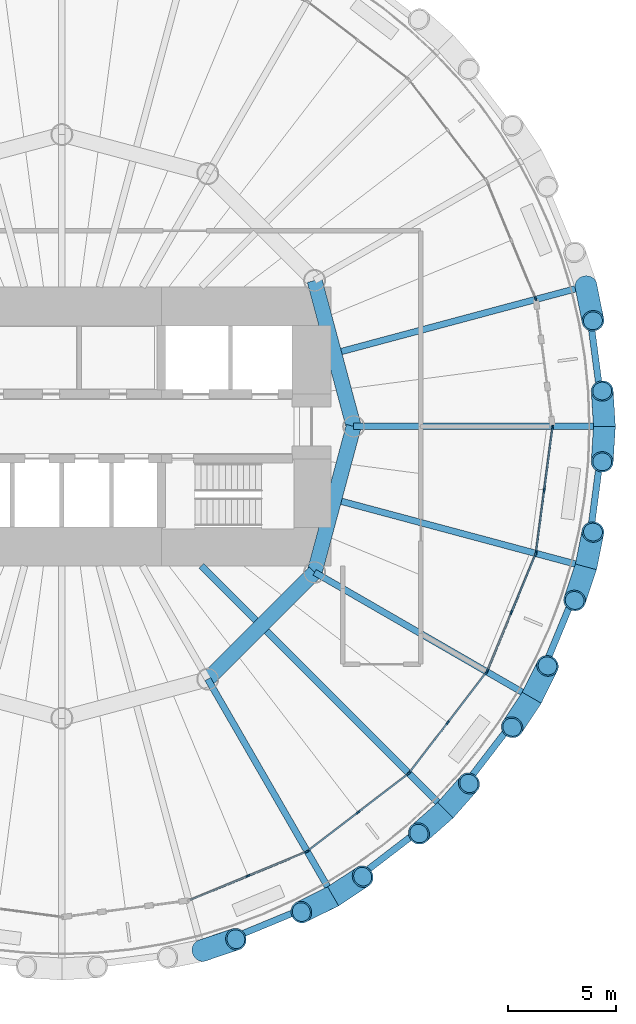
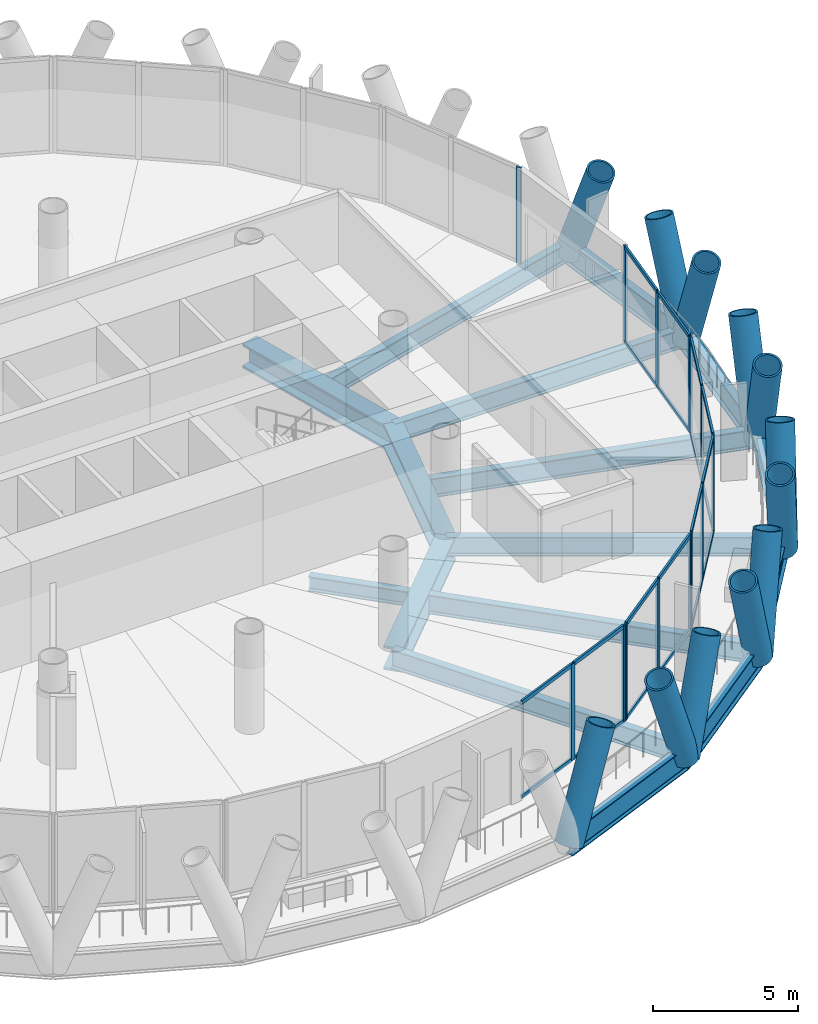
# One storey, part 4 of 14: 47 members, 16 beams, 6 elements without a shape of their own.
"""IFC4 building model written with IfcOpenShell, lengths in metres."""

from ifc_helpers import new_model, si_unit, direction, frame, origin, origin_2d, place, context, subcontext, project, spatial, rectangle, hollow_circle, i_section, extrude, material, material_profile, profile_set, type_object, element, aggregate, save


model = new_model("IFC4")

# Units and contexts
model_context = context("Model", 3, precision=1e-05, world=origin(), true_north=direction((0.0, 1.0)))
body_context = subcontext(model_context, "Body", "Model", "MODEL_VIEW")
ifc_project = project(units=[si_unit("LENGTHUNIT", "METRE"), si_unit("AREAUNIT", "SQUARE_METRE"), si_unit("VOLUMEUNIT", "CUBIC_METRE"), si_unit("PLANEANGLEUNIT", "RADIAN"), si_unit("MASSUNIT", "GRAM", prefix="KILO")], contexts=[model_context])

# Site, building, storey
site_placement = place(None, origin())
site = spatial("IfcSite", under=ifc_project, at=site_placement, CompositionType="ELEMENT")
building_placement = place(site_placement, origin())
building = spatial("IfcBuilding", under=site, at=building_placement, Name="Qaws Media Tower", CompositionType="ELEMENT")
storey_placement = place(building_placement, frame((0.0, 0.0, 126.800048828125)))
storey = spatial("IfcBuildingStorey", under=building, at=storey_placement, Name="L28", CompositionType="ELEMENT", Elevation=126.800048828125)

# Curtain wall, member
ifc_material_1 = material(Name="Aluminium and clear glass", Category="aluminium")
curtain_wall_type = type_object("IfcCurtainWallType", Name="Unitised curtain wall CW-B", PredefinedType="NOTDEFINED", material=ifc_material_1)
curtain_wall_1_placement = place(storey_placement, origin())
curtain_wall_1 = element("IfcCurtainWall", 1, at=curtain_wall_1_placement, inside=storey, type_object=curtain_wall_type, Name="CWB curtain wall L28-02", PredefinedType="NOTDEFINED")
ifc_material_2 = material(Name="Aluminium mullion", Category="aluminium")
ifc_material_profile_1 = material_profile(ifc_material_2, rectangle(XDim=0.080078125, YDim=0.199951171875, at=origin_2d()), Name="80x200")
ifc_profile_set_1 = profile_set([ifc_material_profile_1], Name="Aluminium mullion")
member_type_1 = type_object("IfcMemberType", Name="Curtain wall mullion 80x200", PredefinedType="MULLION", material=ifc_profile_set_1)
member_1_placement = place(storey_placement, frame((81.9111328125, 55.912109375, 0.0), z_axis=(0.0, 0.0, 1.0), x_axis=(-0.923879575765, -0.382683327941, 0.0)))
member_1 = element("IfcMember", 2, at=member_1_placement, type_object=member_type_1, Name="CWB mullion 1", PredefinedType="MULLION", context=body_context, shape_type="SweptSolid", body=[
    extrude(rectangle(XDim=0.080078125, YDim=0.199951171875, at=origin_2d()), origin(), (0.0, 0.0, 1.0), 4.0400390625),
])
aggregate(curtain_wall_1, [member_1])

# Curtain wall, members
curtain_wall_2_placement = place(storey_placement, origin())
curtain_wall_2 = element("IfcCurtainWall", 3, at=curtain_wall_2_placement, inside=storey, type_object=curtain_wall_type, Name="CWB curtain wall L28-20", PredefinedType="NOTDEFINED")
member_2_placement = place(storey_placement, frame((68.612548828125, 29.207275390625, 0.0), z_axis=(0.0, 0.0, 1.0), x_axis=(-0.382683327941, 0.923879575765, 0.0)))
member_2 = element("IfcMember", 4, at=member_2_placement, type_object=member_type_1, Name="CWB mullion 2", PredefinedType="MULLION", context=body_context, shape_type="SweptSolid", body=[
    extrude(rectangle(XDim=0.080078125, YDim=0.199951171875, at=origin_2d()), origin(), (0.0, 0.0, 1.0), 4.0400390625),
])
member_3_placement = place(storey_placement, frame((71.31298828125, 30.325927734375, 0.0), z_axis=(0.0, 0.0, 1.0), x_axis=(-0.382683327941, 0.923879575765, 0.0)))
member_3 = element("IfcMember", 5, at=member_3_placement, type_object=member_type_1, Name="CWB mullion 3", PredefinedType="MULLION", context=body_context, shape_type="SweptSolid", body=[
    extrude(rectangle(XDim=0.080078125, YDim=0.199951171875, at=origin_2d()), origin(), (0.0, 0.0, 1.0), 4.0400390625),
])

curtain_wall_3_placement = place(storey_placement, origin())
curtain_wall_3 = element("IfcCurtainWall", 6, at=curtain_wall_3_placement, inside=storey, type_object=curtain_wall_type, Name="CWB curtain wall L28-21", PredefinedType="NOTDEFINED")
member_4_placement = place(storey_placement, frame((71.3818359375, 30.365478515625, 0.0), z_axis=(0.0, 0.0, 1.0), x_axis=(-0.608761451911, 0.793353322718, 0.0)))
member_4 = element("IfcMember", 7, at=member_4_placement, type_object=member_type_1, Name="CWB mullion 1", PredefinedType="MULLION", context=body_context, shape_type="SweptSolid", body=[
    extrude(rectangle(XDim=0.080078125, YDim=0.199951171875, at=origin_2d()), origin(), (0.0, 0.0, 1.0), 4.0400390625),
])
member_5_placement = place(storey_placement, frame((73.70068359375, 32.14501953125, 0.0), z_axis=(0.0, 0.0, 1.0), x_axis=(-0.608761451911, 0.793353322718, 0.0)))
member_5 = element("IfcMember", 8, at=member_5_placement, type_object=member_type_1, Name="CWB mullion 2", PredefinedType="MULLION", context=body_context, shape_type="SweptSolid", body=[
    extrude(rectangle(XDim=0.080078125, YDim=0.199951171875, at=origin_2d()), origin(), (0.0, 0.0, 1.0), 4.0400390625),
])
member_6_placement = place(storey_placement, frame((76.01953125, 33.92431640625, 0.0), z_axis=(0.0, 0.0, 1.0), x_axis=(-0.608761451911, 0.793353322718, 0.0)))
member_6 = element("IfcMember", 9, at=member_6_placement, type_object=member_type_1, Name="CWB mullion 3", PredefinedType="MULLION", context=body_context, shape_type="SweptSolid", body=[
    extrude(rectangle(XDim=0.080078125, YDim=0.199951171875, at=origin_2d()), origin(), (0.0, 0.0, 1.0), 4.0400390625),
])

curtain_wall_4_placement = place(storey_placement, origin())
curtain_wall_4 = element("IfcCurtainWall", 10, at=curtain_wall_4_placement, inside=storey, type_object=curtain_wall_type, Name="CWB curtain wall L28-22", PredefinedType="NOTDEFINED")
member_7_placement = place(storey_placement, frame((76.07568359375, 33.98046875, 0.0), z_axis=(0.0, 0.0, 1.0), x_axis=(-0.793353322718, 0.608761451911, 0.0)))
member_7 = element("IfcMember", 11, at=member_7_placement, type_object=member_type_1, Name="CWB mullion 1", PredefinedType="MULLION", context=body_context, shape_type="SweptSolid", body=[
    extrude(rectangle(XDim=0.080078125, YDim=0.199951171875, at=origin_2d()), origin(), (0.0, 0.0, 1.0), 4.0400390625),
])
member_8_placement = place(storey_placement, frame((77.85498046875, 36.29931640625, 0.0), z_axis=(0.0, 0.0, 1.0), x_axis=(-0.793353322718, 0.608761451911, 0.0)))
member_8 = element("IfcMember", 12, at=member_8_placement, type_object=member_type_1, Name="CWB mullion 2", PredefinedType="MULLION", context=body_context, shape_type="SweptSolid", body=[
    extrude(rectangle(XDim=0.080078125, YDim=0.199951171875, at=origin_2d()), origin(), (0.0, 0.0, 1.0), 4.0400390625),
])
member_9_placement = place(storey_placement, frame((79.634521484375, 38.6181640625, 0.0), z_axis=(0.0, 0.0, 1.0), x_axis=(-0.793353322718, 0.608761451911, 0.0)))
member_9 = element("IfcMember", 13, at=member_9_placement, type_object=member_type_1, Name="CWB mullion 3", PredefinedType="MULLION", context=body_context, shape_type="SweptSolid", body=[
    extrude(rectangle(XDim=0.080078125, YDim=0.199951171875, at=origin_2d()), origin(), (0.0, 0.0, 1.0), 4.0400390625),
])

curtain_wall_5_placement = place(storey_placement, origin())
curtain_wall_5 = element("IfcCurtainWall", 14, at=curtain_wall_5_placement, inside=storey, type_object=curtain_wall_type, Name="CWB curtain wall L28-23", PredefinedType="NOTDEFINED")
member_10_placement = place(storey_placement, frame((79.674072265625, 38.68701171875, 0.0), z_axis=(0.0, 0.0, 1.0), x_axis=(-0.923879575765, 0.382683327941, 0.0)))
member_10 = element("IfcMember", 15, at=member_10_placement, type_object=member_type_1, Name="CWB mullion 1", PredefinedType="MULLION", context=body_context, shape_type="SweptSolid", body=[
    extrude(rectangle(XDim=0.080078125, YDim=0.199951171875, at=origin_2d()), origin(), (0.0, 0.0, 1.0), 4.0400390625),
])
member_11_placement = place(storey_placement, frame((80.792724609375, 41.387451171875, 0.0), z_axis=(0.0, 0.0, 1.0), x_axis=(-0.923879575765, 0.382683327941, 0.0)))
member_11 = element("IfcMember", 16, at=member_11_placement, type_object=member_type_1, Name="CWB mullion 2", PredefinedType="MULLION", context=body_context, shape_type="SweptSolid", body=[
    extrude(rectangle(XDim=0.080078125, YDim=0.199951171875, at=origin_2d()), origin(), (0.0, 0.0, 1.0), 4.0400390625),
])
member_12_placement = place(storey_placement, frame((81.9111328125, 44.087890625, 0.0), z_axis=(0.0, 0.0, 1.0), x_axis=(-0.923879575765, 0.382683327941, 0.0)))
member_12 = element("IfcMember", 17, at=member_12_placement, type_object=member_type_1, Name="CWB mullion 3", PredefinedType="MULLION", context=body_context, shape_type="SweptSolid", body=[
    extrude(rectangle(XDim=0.080078125, YDim=0.199951171875, at=origin_2d()), origin(), (0.0, 0.0, 1.0), 4.0400390625),
])

curtain_wall_6_placement = place(storey_placement, origin())
curtain_wall_6 = element("IfcCurtainWall", 18, at=curtain_wall_6_placement, inside=storey, type_object=curtain_wall_type, Name="CWB curtain wall L28-24", PredefinedType="NOTDEFINED")
member_13_placement = place(storey_placement, frame((81.931640625, 44.16455078125, 0.0), z_axis=(0.0, 0.0, 1.0), x_axis=(-0.991444854836, 0.130526241882, 0.0)))
member_13 = element("IfcMember", 19, at=member_13_placement, type_object=member_type_1, Name="CWB mullion 1", PredefinedType="MULLION", context=body_context, shape_type="SweptSolid", body=[
    extrude(rectangle(XDim=0.080078125, YDim=0.199951171875, at=origin_2d()), origin(), (0.0, 0.0, 1.0), 4.0400390625),
])
member_14_placement = place(storey_placement, frame((82.313232421875, 47.0625, 0.0), z_axis=(0.0, 0.0, 1.0), x_axis=(-0.991444854836, 0.130526241882, 0.0)))
member_14 = element("IfcMember", 20, at=member_14_placement, type_object=member_type_1, Name="CWB mullion 2", PredefinedType="MULLION", context=body_context, shape_type="SweptSolid", body=[
    extrude(rectangle(XDim=0.080078125, YDim=0.199951171875, at=origin_2d()), origin(), (0.0, 0.0, 1.0), 4.0400390625),
])
member_15_placement = place(storey_placement, frame((82.69482421875, 49.96044921875, 0.0), z_axis=(0.0, 0.0, 1.0), x_axis=(-0.991444854836, 0.130526241882, 0.0)))
member_15 = element("IfcMember", 21, at=member_15_placement, type_object=member_type_1, Name="CWB mullion 3", PredefinedType="MULLION", context=body_context, shape_type="SweptSolid", body=[
    extrude(rectangle(XDim=0.080078125, YDim=0.199951171875, at=origin_2d()), origin(), (0.0, 0.0, 1.0), 4.0400390625),
])

# Member
ifc_material_3 = material(Name="Aluminium transom", Category="aluminium")
ifc_material_profile_2 = material_profile(ifc_material_3, rectangle(XDim=0.080078125, YDim=0.159912109375, at=origin_2d()), Name="80x160")
ifc_profile_set_2 = profile_set([ifc_material_profile_2], Name="Aluminium transom")
member_type_2 = type_object("IfcMemberType", Name="Curtain wall transom 80x160", PredefinedType="USERDEFINED", material=ifc_profile_set_2)
member_16_placement = place(storey_placement, frame((65.94921875, 28.10400390625, 0.0400390625), z_axis=(0.923852493232, 0.382748704437, 0.0), x_axis=(-0.382748704437, 0.923852493232, 0.0)))
member_16 = element("IfcMember", 22, at=member_16_placement, type_object=member_type_2, Name="CWB transom 1.1", ObjectType="TRANSOM", PredefinedType="USERDEFINED", context=body_context, shape_type="SweptSolid", body=[
    extrude(rectangle(XDim=0.080078125, YDim=0.159912109375, at=origin_2d()), origin(), (0.0, 0.0, 1.0), 2.843017578125),
])

member_17_placement = place(storey_placement, frame((65.94921875, 28.10400390625, 4.0), z_axis=(0.923852493232, 0.382748704437, 0.0), x_axis=(-0.382748704437, 0.923852493232, 0.0)))
member_17 = element("IfcMember", 23, at=member_17_placement, type_object=member_type_2, Name="CWB transom 1.2", ObjectType="TRANSOM", PredefinedType="USERDEFINED", context=body_context, shape_type="SweptSolid", body=[
    extrude(rectangle(XDim=0.080078125, YDim=0.159912109375, at=origin_2d()), origin(), (0.0, 0.0, 1.0), 2.843017578125),
])

member_18_placement = place(storey_placement, frame((68.649658203125, 29.22265625, 0.0400390625), z_axis=(0.923882857314, 0.382675405483, 0.0), x_axis=(-0.382675405483, 0.923882857314, 0.0)))
member_18 = element("IfcMember", 24, at=member_18_placement, type_object=member_type_2, Name="CWB transom 2.1", ObjectType="TRANSOM", PredefinedType="USERDEFINED", context=body_context, shape_type="SweptSolid", body=[
    extrude(rectangle(XDim=0.080078125, YDim=0.159912109375, at=origin_2d()), origin(), (0.0, 0.0, 1.0), 2.8427734375),
])

member_19_placement = place(storey_placement, frame((68.649658203125, 29.22265625, 4.0), z_axis=(0.923882857314, 0.382675405483, 0.0), x_axis=(-0.382675405483, 0.923882857314, 0.0)))
member_19 = element("IfcMember", 25, at=member_19_placement, type_object=member_type_2, Name="CWB transom 2.2", ObjectType="TRANSOM", PredefinedType="USERDEFINED", context=body_context, shape_type="SweptSolid", body=[
    extrude(rectangle(XDim=0.080078125, YDim=0.159912109375, at=origin_2d()), origin(), (0.0, 0.0, 1.0), 2.8427734375),
])

aggregate(curtain_wall_2, [member_2, member_3, member_16, member_17, member_18, member_19])

member_20_placement = place(storey_placement, frame((71.41357421875, 30.389892578125, 0.0400390625), z_axis=(0.79333536919, 0.608784848689, 0.0), x_axis=(-0.608784848689, 0.79333536919, 0.0)))
member_20 = element("IfcMember", 26, at=member_20_placement, type_object=member_type_2, Name="CWB transom 1.1", ObjectType="TRANSOM", PredefinedType="USERDEFINED", context=body_context, shape_type="SweptSolid", body=[
    extrude(rectangle(XDim=0.080078125, YDim=0.159912109375, at=origin_2d()), origin(), (0.0, 0.0, 1.0), 2.843017578125),
])

member_21_placement = place(storey_placement, frame((71.41357421875, 30.389892578125, 4.0), z_axis=(0.79333536919, 0.608784848689, 0.0), x_axis=(-0.608784848689, 0.79333536919, 0.0)))
member_21 = element("IfcMember", 27, at=member_21_placement, type_object=member_type_2, Name="CWB transom 1.2", ObjectType="TRANSOM", PredefinedType="USERDEFINED", context=body_context, shape_type="SweptSolid", body=[
    extrude(rectangle(XDim=0.080078125, YDim=0.159912109375, at=origin_2d()), origin(), (0.0, 0.0, 1.0), 2.843017578125),
])

member_22_placement = place(storey_placement, frame((73.732421875, 32.169189453125, 0.0400390625), z_axis=(0.79333536919, 0.608784848689, 0.0), x_axis=(-0.608784848689, 0.79333536919, 0.0)))
member_22 = element("IfcMember", 28, at=member_22_placement, type_object=member_type_2, Name="CWB transom 2.1", ObjectType="TRANSOM", PredefinedType="USERDEFINED", context=body_context, shape_type="SweptSolid", body=[
    extrude(rectangle(XDim=0.080078125, YDim=0.159912109375, at=origin_2d()), origin(), (0.0, 0.0, 1.0), 2.843017578125),
])

member_23_placement = place(storey_placement, frame((73.732421875, 32.169189453125, 4.0), z_axis=(0.79333536919, 0.608784848689, 0.0), x_axis=(-0.608784848689, 0.79333536919, 0.0)))
member_23 = element("IfcMember", 29, at=member_23_placement, type_object=member_type_2, Name="CWB transom 2.2", ObjectType="TRANSOM", PredefinedType="USERDEFINED", context=body_context, shape_type="SweptSolid", body=[
    extrude(rectangle(XDim=0.080078125, YDim=0.159912109375, at=origin_2d()), origin(), (0.0, 0.0, 1.0), 2.843017578125),
])

aggregate(curtain_wall_3, [member_4, member_5, member_6, member_20, member_21, member_22, member_23])

member_24_placement = place(storey_placement, frame((76.10009765625, 34.01220703125, 0.0400390625), z_axis=(0.608784848689, 0.79333536919, 0.0), x_axis=(-0.79333536919, 0.608784848689, 0.0)))
member_24 = element("IfcMember", 30, at=member_24_placement, type_object=member_type_2, Name="CWB transom 1.1", ObjectType="TRANSOM", PredefinedType="USERDEFINED", context=body_context, shape_type="SweptSolid", body=[
    extrude(rectangle(XDim=0.080078125, YDim=0.159912109375, at=origin_2d()), origin(), (0.0, 0.0, 1.0), 2.843017578125),
])

member_25_placement = place(storey_placement, frame((76.10009765625, 34.01220703125, 4.0), z_axis=(0.608784848689, 0.79333536919, 0.0), x_axis=(-0.79333536919, 0.608784848689, 0.0)))
member_25 = element("IfcMember", 31, at=member_25_placement, type_object=member_type_2, Name="CWB transom 1.2", ObjectType="TRANSOM", PredefinedType="USERDEFINED", context=body_context, shape_type="SweptSolid", body=[
    extrude(rectangle(XDim=0.080078125, YDim=0.159912109375, at=origin_2d()), origin(), (0.0, 0.0, 1.0), 2.843017578125),
])

member_26_placement = place(storey_placement, frame((77.87939453125, 36.3310546875, 0.0400390625), z_axis=(0.608784848689, 0.79333536919, 0.0), x_axis=(-0.79333536919, 0.608784848689, 0.0)))
member_26 = element("IfcMember", 32, at=member_26_placement, type_object=member_type_2, Name="CWB transom 2.1", ObjectType="TRANSOM", PredefinedType="USERDEFINED", context=body_context, shape_type="SweptSolid", body=[
    extrude(rectangle(XDim=0.080078125, YDim=0.159912109375, at=origin_2d()), origin(), (0.0, 0.0, 1.0), 2.843017578125),
])

member_27_placement = place(storey_placement, frame((77.87939453125, 36.3310546875, 4.0), z_axis=(0.608784848689, 0.79333536919, 0.0), x_axis=(-0.79333536919, 0.608784848689, 0.0)))
member_27 = element("IfcMember", 33, at=member_27_placement, type_object=member_type_2, Name="CWB transom 2.2", ObjectType="TRANSOM", PredefinedType="USERDEFINED", context=body_context, shape_type="SweptSolid", body=[
    extrude(rectangle(XDim=0.080078125, YDim=0.159912109375, at=origin_2d()), origin(), (0.0, 0.0, 1.0), 2.843017578125),
])

aggregate(curtain_wall_4, [member_7, member_8, member_9, member_24, member_25, member_26, member_27])

member_28_placement = place(storey_placement, frame((79.689453125, 38.723876953125, 0.0400390625), z_axis=(0.382675405483, 0.923882857314, 0.0), x_axis=(-0.923882857314, 0.382675405483, 0.0)))
member_28 = element("IfcMember", 34, at=member_28_placement, type_object=member_type_2, Name="CWB transom 1.1", ObjectType="TRANSOM", PredefinedType="USERDEFINED", context=body_context, shape_type="SweptSolid", body=[
    extrude(rectangle(XDim=0.080078125, YDim=0.159912109375, at=origin_2d()), origin(), (0.0, 0.0, 1.0), 2.8427734375),
])

member_29_placement = place(storey_placement, frame((79.689453125, 38.723876953125, 4.0), z_axis=(0.382675405483, 0.923882857314, 0.0), x_axis=(-0.923882857314, 0.382675405483, 0.0)))
member_29 = element("IfcMember", 35, at=member_29_placement, type_object=member_type_2, Name="CWB transom 1.2", ObjectType="TRANSOM", PredefinedType="USERDEFINED", context=body_context, shape_type="SweptSolid", body=[
    extrude(rectangle(XDim=0.080078125, YDim=0.159912109375, at=origin_2d()), origin(), (0.0, 0.0, 1.0), 2.8427734375),
])

member_30_placement = place(storey_placement, frame((80.807861328125, 41.42431640625, 0.0400390625), z_axis=(0.382748704437, 0.923852493232, 0.0), x_axis=(-0.923852493232, 0.382748704437, 0.0)))
member_30 = element("IfcMember", 36, at=member_30_placement, type_object=member_type_2, Name="CWB transom 2.1", ObjectType="TRANSOM", PredefinedType="USERDEFINED", context=body_context, shape_type="SweptSolid", body=[
    extrude(rectangle(XDim=0.080078125, YDim=0.159912109375, at=origin_2d()), origin(), (0.0, 0.0, 1.0), 2.843017578125),
])

member_31_placement = place(storey_placement, frame((80.807861328125, 41.42431640625, 4.0), z_axis=(0.382748704437, 0.923852493232, 0.0), x_axis=(-0.923852493232, 0.382748704437, 0.0)))
member_31 = element("IfcMember", 37, at=member_31_placement, type_object=member_type_2, Name="CWB transom 2.2", ObjectType="TRANSOM", PredefinedType="USERDEFINED", context=body_context, shape_type="SweptSolid", body=[
    extrude(rectangle(XDim=0.080078125, YDim=0.159912109375, at=origin_2d()), origin(), (0.0, 0.0, 1.0), 2.843017578125),
])

aggregate(curtain_wall_5, [member_10, member_11, member_12, member_28, member_29, member_30, member_31])

member_32_placement = place(storey_placement, frame((81.93701171875, 44.2041015625, 0.0400390625), z_axis=(0.130532262837, 0.991444062143, 0.0), x_axis=(-0.991444062143, 0.130532262837, 0.0)))
member_32 = element("IfcMember", 38, at=member_32_placement, type_object=member_type_2, Name="CWB transom 1.1", ObjectType="TRANSOM", PredefinedType="USERDEFINED", context=body_context, shape_type="SweptSolid", body=[
    extrude(rectangle(XDim=0.080078125, YDim=0.159912109375, at=origin_2d()), origin(), (0.0, 0.0, 1.0), 2.843017578125),
])

member_33_placement = place(storey_placement, frame((81.93701171875, 44.2041015625, 4.0), z_axis=(0.130532262837, 0.991444062143, 0.0), x_axis=(-0.991444062143, 0.130532262837, 0.0)))
member_33 = element("IfcMember", 39, at=member_33_placement, type_object=member_type_2, Name="CWB transom 1.2", ObjectType="TRANSOM", PredefinedType="USERDEFINED", context=body_context, shape_type="SweptSolid", body=[
    extrude(rectangle(XDim=0.080078125, YDim=0.159912109375, at=origin_2d()), origin(), (0.0, 0.0, 1.0), 2.843017578125),
])

member_34_placement = place(storey_placement, frame((82.318359375, 47.10205078125, 0.0400390625), z_axis=(0.130532262837, 0.991444062143, 0.0), x_axis=(-0.991444062143, 0.130532262837, 0.0)))
member_34 = element("IfcMember", 40, at=member_34_placement, type_object=member_type_2, Name="CWB transom 2.1", ObjectType="TRANSOM", PredefinedType="USERDEFINED", context=body_context, shape_type="SweptSolid", body=[
    extrude(rectangle(XDim=0.080078125, YDim=0.159912109375, at=origin_2d()), origin(), (0.0, 0.0, 1.0), 2.843017578125),
])

member_35_placement = place(storey_placement, frame((82.318359375, 47.10205078125, 4.0), z_axis=(0.130532262837, 0.991444062143, 0.0), x_axis=(-0.991444062143, 0.130532262837, 0.0)))
member_35 = element("IfcMember", 41, at=member_35_placement, type_object=member_type_2, Name="CWB transom 2.2", ObjectType="TRANSOM", PredefinedType="USERDEFINED", context=body_context, shape_type="SweptSolid", body=[
    extrude(rectangle(XDim=0.080078125, YDim=0.159912109375, at=origin_2d()), origin(), (0.0, 0.0, 1.0), 2.843017578125),
])

aggregate(curtain_wall_6, [member_13, member_14, member_15, member_32, member_33, member_34, member_35])

# Members
ifc_material_4 = material(Name="Steel S460", Category="steel")
ifc_material_profile_3 = material_profile(ifc_material_4, hollow_circle(Radius=0.508056640625, WallThickness=0.070068359375, at=origin_2d()), Name="CHS 1016x70")
ifc_profile_set_3 = profile_set([ifc_material_profile_3], Name="Steel S460")
member_type_3 = type_object("IfcMemberType", Name="Diagrid member CHS 1016x70", PredefinedType="USERDEFINED", material=ifc_profile_set_3)
for number, where, z_axis, x_axis, name in (
    (42, (85.10009765625, 50.0, -0.6640625), (-0.023009597128, 0.363335073708, 0.931374351512), (-0.99800073914, -0.063202252143, 0.0), "DG3 diagrid L28 A01"),
    (43, (85.10009765625, 50.0, -0.6640625), (-0.023009597128, -0.363335073708, 0.931374351512), (0.99800073914, -0.063202252143, 0.0), "DG3 diagrid L28 B01"),
):
    element("IfcMember", number, at=place(storey_placement, frame(where, z_axis=z_axis, x_axis=x_axis)), inside=storey, type_object=member_type_3, Name=name, ObjectType="DIAGRID", PredefinedType="USERDEFINED", context=body_context, shape_type="SweptSolid", body=[
        extrude(hollow_circle(Radius=0.508056640625, WallThickness=0.070068359375, at=origin_2d()), origin(), (0.0, 0.0, 1.0), 4.509521484375),
    ])
for number, where, z_axis, x_axis, name in (
    (44, (84.24462890625, 56.496337890625, -0.6640625), (0.071844373142, -0.356893826491, 0.931378109395), (0.980333951652, 0.197345745425, 0.0), "DG3 diagrid L28 B02"),
    (45, (66.496337890625, 25.75537109375, -0.6640625), (0.34498681784, 0.11618670921, 0.931388610688), (-0.319171064063, 0.947697120321, 0.0), "DG3 diagrid L28 A20"),
    (46, (72.550048828125, 28.2626953125, -0.6640625), (0.303134967423, 0.201566616131, 0.931386112623), (-0.553704483539, 0.832713242905, 0.0), "DG3 diagrid L28 A21"),
    (47, (72.550048828125, 28.2626953125, -0.6640625), (-0.326144274336, -0.161718616773, 0.931384454083), (0.444236655494, -0.895909478639, 0.0), "DG3 diagrid L28 B21"),
    (48, (77.748291015625, 32.251708984375, -0.6640625), (0.240656171332, 0.273140693896, 0.931385402794), (-0.750315083138, 0.661080385441, 0.0), "DG3 diagrid L28 A22"),
    (49, (77.748291015625, 32.251708984375, -0.6640625), (-0.273140693896, -0.240656171332, 0.931385402794), (0.661080385441, -0.750315083138, 0.0), "DG3 diagrid L28 B22"),
    (50, (81.7373046875, 37.449951171875, -0.6640625), (0.161718616773, 0.326144274336, 0.931384454083), (-0.895909478639, 0.444236655494, 0.0), "DG3 diagrid L28 A23"),
    (51, (81.7373046875, 37.449951171875, -0.6640625), (-0.201566616131, -0.303134967423, 0.931386112623), (0.832713242905, -0.553704483539, 0.0), "DG3 diagrid L28 B23"),
    (52, (84.24462890625, 43.503662109375, -0.6640625), (0.071844373142, 0.356893826491, 0.931378109395), (-0.980333951652, 0.197345745425, 0.0), "DG3 diagrid L28 A24"),
    (53, (84.24462890625, 43.503662109375, -0.6640625), (-0.11618670921, -0.34498681784, 0.931388610688), (0.947697120321, -0.319171064063, 0.0), "DG3 diagrid L28 B24"),
):
    element("IfcMember", number, at=place(storey_placement, frame(where, z_axis=z_axis, x_axis=x_axis)), inside=storey, type_object=member_type_3, Name=name, ObjectType="DIAGRID", PredefinedType="USERDEFINED", context=body_context, shape_type="SweptSolid", body=[
        extrude(hollow_circle(Radius=0.508056640625, WallThickness=0.070068359375, at=origin_2d()), origin(), (0.0, 0.0, 1.0), 4.50927734375),
    ])

# Beams
ifc_material_5 = material(Name="Steel S460", Category="steel")
ifc_material_profile_4 = material_profile(ifc_material_5, i_section(OverallWidth=0.302001953125, OverallDepth=1.008056640625, WebThickness=0.02099609375, FlangeThickness=0.0400390625, FilletRadius=0.030029296875, at=origin_2d()), Name="HE 1000 M")
ifc_profile_set_4 = profile_set([ifc_material_profile_4], Name="Steel S460")
beam_type_1 = type_object("IfcBeamType", Name="Edge ring beam HE 1000 M", PredefinedType="BEAM", material=ifc_profile_set_4)
for number, where, z_axis, x_axis, name in (
    (54, (85.10009765625, 50.0, -0.6640625), (-0.130557641571, 0.991440720481, 0.0), (-0.991440720481, -0.130557641571, 0.0), "RB3 edge ring beam L28-01"),
    (55, (66.496337890625, 25.75537109375, -0.6640625), (0.923890590997, 0.382656733729, 0.0), (-0.382656733729, 0.923890590997, 0.0), "RB3 edge ring beam L28-20"),
    (56, (72.550048828125, 28.2626953125, -0.6640625), (0.793334017296, 0.608786610398, 0.0), (-0.608786610398, 0.793334017296, 0.0), "RB3 edge ring beam L28-21"),
    (57, (77.748291015625, 32.251708984375, -0.6640625), (0.608786610398, 0.793334017296, 0.0), (-0.793334017296, 0.608786610398, 0.0), "RB3 edge ring beam L28-22"),
    (58, (81.7373046875, 37.449951171875, -0.6640625), (0.382656733729, 0.923890590997, 0.0), (-0.923890590997, 0.382656733729, 0.0), "RB3 edge ring beam L28-23"),
    (59, (84.24462890625, 43.503662109375, -0.6640625), (0.130557641571, 0.991440720481, 0.0), (-0.991440720481, 0.130557641571, 0.0), "RB3 edge ring beam L28-24"),
):
    element("IfcBeam", number, at=place(storey_placement, frame(where, z_axis=z_axis, x_axis=x_axis)), inside=storey, type_object=beam_type_1, Name=name, PredefinedType="BEAM", context=body_context, shape_type="SweptSolid", body=[
        extrude(i_section(OverallWidth=0.302001953125, OverallDepth=1.008056640625, WebThickness=0.02099609375, FlangeThickness=0.0400390625, FilletRadius=0.030029296875, at=origin_2d()), origin(), (0.0, 0.0, 1.0), 6.552490234375),
    ])
ifc_material_6 = material(Name="Steel S460", Category="steel")
ifc_material_profile_5 = material_profile(ifc_material_6, i_section(OverallWidth=0.699951171875, OverallDepth=1.0, WebThickness=0.034912109375, FlangeThickness=0.090087890625, at=origin_2d()), Name="PG 1000x700")
ifc_profile_set_5 = profile_set([ifc_material_profile_5], Name="Steel S460")
beam_type_2 = type_object("IfcBeamType", Name="Inner ring girder PG 1000x700", PredefinedType="BEAM", material=ifc_profile_set_5)
beam_1_placement = place(storey_placement, frame((73.5, 50.0, -0.66015625), z_axis=(-0.258810593767, 0.965928090778, 0.0), x_axis=(-0.965928090778, -0.258810593767, 0.0)))
element("IfcBeam", 60, at=beam_1_placement, inside=storey, type_object=beam_type_2, Name="B3 inner ring beam L28 I01-I02", PredefinedType="BEAM", context=body_context, shape_type="SweptSolid", body=[
    extrude(i_section(OverallWidth=0.699951171875, OverallDepth=1.0, WebThickness=0.034912109375, FlangeThickness=0.090087890625, at=origin_2d()), origin(), (0.0, 0.0, 1.0), 6.988037109375),
])
beam_2_placement = place(storey_placement, frame((66.75, 38.30859375, -0.66015625), z_axis=(0.707106781187, 0.707106781187, 0.0), x_axis=(-0.707106781187, 0.707106781187, 0.0)))
element("IfcBeam", 61, at=beam_2_placement, inside=storey, type_object=beam_type_2, Name="B3 inner ring beam L28 I11-I12", PredefinedType="BEAM", context=body_context, shape_type="SweptSolid", body=[
    extrude(i_section(OverallWidth=0.699951171875, OverallDepth=1.0, WebThickness=0.034912109375, FlangeThickness=0.090087890625, at=origin_2d()), origin(), (0.0, 0.0, 1.0), 6.98828125),
])
beam_3_placement = place(storey_placement, frame((71.69140625, 43.25, -0.66015625), z_axis=(0.258810593767, 0.965928090778, 0.0), x_axis=(-0.965928090778, 0.258810593767, 0.0)))
element("IfcBeam", 62, at=beam_3_placement, inside=storey, type_object=beam_type_2, Name="B3 inner ring beam L28 I12-I01", PredefinedType="BEAM", context=body_context, shape_type="SweptSolid", body=[
    extrude(i_section(OverallWidth=0.699951171875, OverallDepth=1.0, WebThickness=0.034912109375, FlangeThickness=0.090087890625, at=origin_2d()), origin(), (0.0, 0.0, 1.0), 6.988037109375),
])
ifc_material_7 = material(Name="Steel S355", Category="steel")
ifc_material_profile_6 = material_profile(ifc_material_7, i_section(OverallWidth=0.304931640625, OverallDepth=0.6201171875, WebThickness=0.02099609375, FlangeThickness=0.0400390625, FilletRadius=0.027099609375, at=origin_2d()), Name="HE 600 M")
ifc_profile_set_6 = profile_set([ifc_material_profile_6], Name="Steel S355")
beam_type_3 = type_object("IfcBeamType", Name="Radial beam HE 600 M, core side", PredefinedType="BEAM", material=ifc_profile_set_6)
beam_4_placement = place(storey_placement, frame((66.449951171875, 43.550048828125, -0.469970703125), z_axis=(0.707106781187, -0.707106781187, 0.0), x_axis=(0.707106781187, 0.707106781187, 0.0)))
element("IfcBeam", 63, at=beam_4_placement, inside=storey, type_object=beam_type_3, Name="B2 radial beam L28 22", PredefinedType="BEAM", context=body_context, shape_type="SweptSolid", body=[
    extrude(i_section(OverallWidth=0.304931640625, OverallDepth=0.6201171875, WebThickness=0.02099609375, FlangeThickness=0.0400390625, FilletRadius=0.027099609375, at=origin_2d()), origin(), (0.0, 0.0, 1.0), 3.568359375),
])
ifc_material_8 = material(Name="Steel S355", Category="steel")
ifc_material_profile_7 = material_profile(ifc_material_8, i_section(OverallWidth=0.300048828125, OverallDepth=0.800048828125, WebThickness=0.017578125, FlangeThickness=0.032958984375, FilletRadius=0.030029296875, at=origin_2d()), Name="HE 800 B")
ifc_profile_set_7 = profile_set([ifc_material_profile_7], Name="Steel S355")
beam_type_4 = type_object("IfcBeamType", Name="Radial beam HE 800 B", PredefinedType="BEAM", material=ifc_profile_set_7)
beam_5_placement = place(storey_placement, frame((73.5, 50.0, -0.56005859375), z_axis=(1.0, 0.0, 0.0), x_axis=(0.0, 1.0, 0.0)))
element("IfcBeam", 64, at=beam_5_placement, inside=storey, type_object=beam_type_4, Name="B1 radial beam L28 01", PredefinedType="BEAM", context=body_context, shape_type="SweptSolid", body=[
    extrude(i_section(OverallWidth=0.300048828125, OverallDepth=0.800048828125, WebThickness=0.017578125, FlangeThickness=0.032958984375, FilletRadius=0.030029296875, at=origin_2d()), origin(), (0.0, 0.0, 1.0), 11.60009765625),
])
beam_6_placement = place(storey_placement, frame((72.933837890625, 53.465576171875, -0.56005859375), z_axis=(0.965924878351, 0.258822582828, 0.0), x_axis=(-0.258822582828, 0.965924878351, 0.0)))
element("IfcBeam", 65, at=beam_6_placement, inside=storey, type_object=beam_type_4, Name="B1 radial beam L28 02", PredefinedType="BEAM", context=body_context, shape_type="SweptSolid", body=[
    extrude(i_section(OverallWidth=0.300048828125, OverallDepth=0.800048828125, WebThickness=0.017578125, FlangeThickness=0.032958984375, FilletRadius=0.030029296875, at=origin_2d()), origin(), (0.0, 0.0, 1.0), 11.709716796875),
])
beam_7_placement = place(storey_placement, frame((66.75, 38.30859375, -0.56005859375), z_axis=(0.500003016864, -0.86602366199, 0.0), x_axis=(0.86602366199, 0.500003016864, 0.0)))
element("IfcBeam", 66, at=beam_7_placement, inside=storey, type_object=beam_type_4, Name="B1 radial beam L28 21", PredefinedType="BEAM", context=body_context, shape_type="SweptSolid", body=[
    extrude(i_section(OverallWidth=0.300048828125, OverallDepth=0.800048828125, WebThickness=0.017578125, FlangeThickness=0.032958984375, FilletRadius=0.030029296875, at=origin_2d()), origin(), (0.0, 0.0, 1.0), 11.60009765625),
])
beam_8_placement = place(storey_placement, frame((69.46826171875, 40.53173828125, -0.56005859375), z_axis=(0.707106781187, -0.707106781187, 0.0), x_axis=(0.707106781187, 0.707106781187, 0.0)))
element("IfcBeam", 67, at=beam_8_placement, inside=storey, type_object=beam_type_4, Name="B1 radial beam L28 22", PredefinedType="BEAM", context=body_context, shape_type="SweptSolid", body=[
    extrude(i_section(OverallWidth=0.300048828125, OverallDepth=0.800048828125, WebThickness=0.017578125, FlangeThickness=0.032958984375, FilletRadius=0.030029296875, at=origin_2d()), origin(), (0.0, 0.0, 1.0), 11.709716796875),
])
beam_9_placement = place(storey_placement, frame((71.69140625, 43.25, -0.56005859375), z_axis=(0.86602366199, -0.500003016864, 0.0), x_axis=(0.500003016864, 0.86602366199, 0.0)))
element("IfcBeam", 68, at=beam_9_placement, inside=storey, type_object=beam_type_4, Name="B1 radial beam L28 23", PredefinedType="BEAM", context=body_context, shape_type="SweptSolid", body=[
    extrude(i_section(OverallWidth=0.300048828125, OverallDepth=0.800048828125, WebThickness=0.017578125, FlangeThickness=0.032958984375, FilletRadius=0.030029296875, at=origin_2d()), origin(), (0.0, 0.0, 1.0), 11.60009765625),
])
beam_10_placement = place(storey_placement, frame((72.933837890625, 46.534423828125, -0.56005859375), z_axis=(0.965924878351, -0.258822582828, 0.0), x_axis=(0.258822582828, 0.965924878351, 0.0)))
element("IfcBeam", 69, at=beam_10_placement, inside=storey, type_object=beam_type_4, Name="B1 radial beam L28 24", PredefinedType="BEAM", context=body_context, shape_type="SweptSolid", body=[
    extrude(i_section(OverallWidth=0.300048828125, OverallDepth=0.800048828125, WebThickness=0.017578125, FlangeThickness=0.032958984375, FilletRadius=0.030029296875, at=origin_2d()), origin(), (0.0, 0.0, 1.0), 11.709716796875),
])

save(model, "model.ifc")
